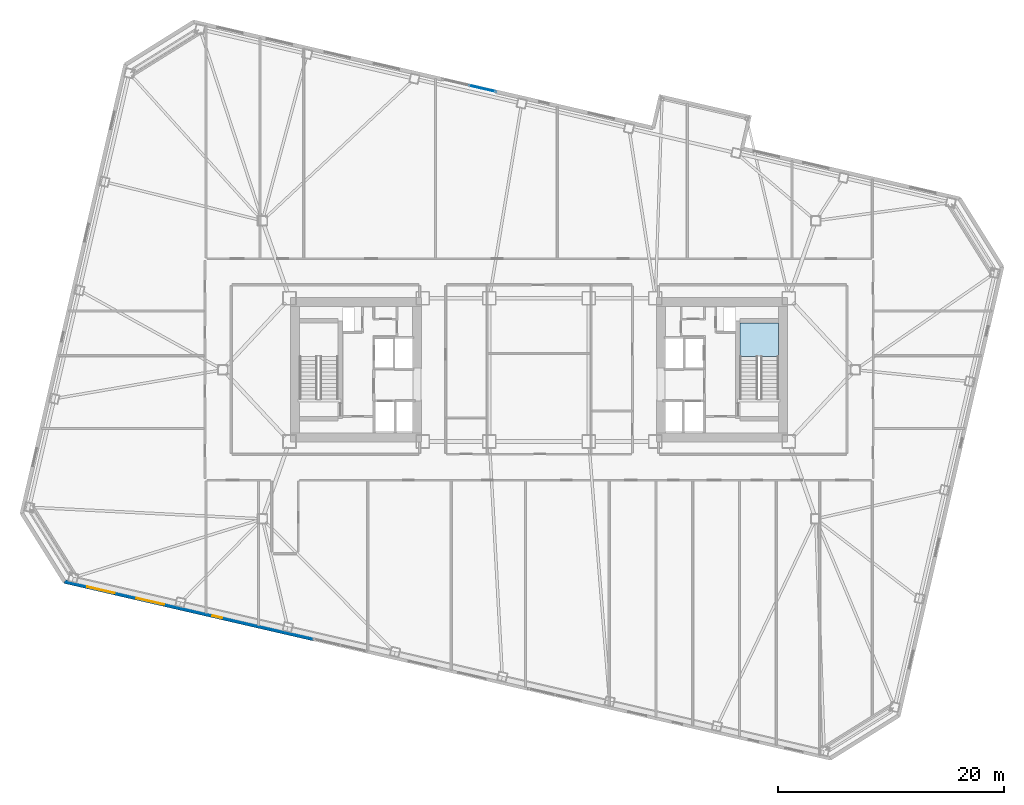
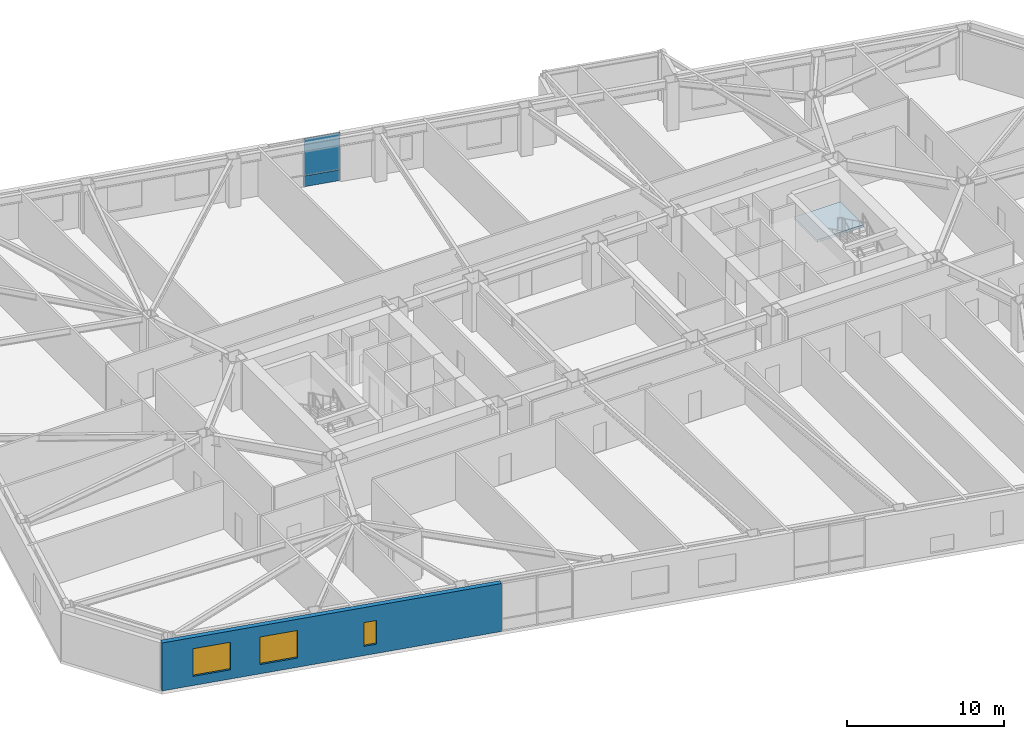
# One storey, part 10 of 21: 3 windows, 2 plates, 1 slab, 1 wall, 3 openings, 2 elements without a shape of their own.
"""IFC4 building model written with IfcOpenShell, lengths in metres."""

from ifc_helpers import new_model, si_unit, direction, frame, frame_2d, origin, origin_2d, place, context, subcontext, project, spatial, polyline, rectangle, outline, extrude, material, layer, layer_set, type_object, element, fill, aggregate, save


model = new_model("IFC4")

# Units and contexts
model_context = context("Model", 3, precision=1e-05, world=origin(), true_north=direction((0.0, 1.0)))
body_context = subcontext(model_context, "Body", "Model", "MODEL_VIEW")
ifc_project = project(units=[si_unit("LENGTHUNIT", "METRE"), si_unit("AREAUNIT", "SQUARE_METRE"), si_unit("VOLUMEUNIT", "CUBIC_METRE"), si_unit("PLANEANGLEUNIT", "RADIAN"), si_unit("MASSUNIT", "GRAM", prefix="KILO")], contexts=[model_context])

# Site, building, storey
site_placement = place(None, origin())
site = spatial("IfcSite", under=ifc_project, at=site_placement, CompositionType="ELEMENT")
building_placement = place(site_placement, origin())
building = spatial("IfcBuilding", under=site, at=building_placement, Name="Tavrogorsk Clinical Tower", CompositionType="ELEMENT")
storey_placement = place(building_placement, frame((0.0, 0.0, 71.39990234375)))
storey = spatial("IfcBuildingStorey", under=building, at=storey_placement, Name="L15", CompositionType="ELEMENT", Elevation=71.39990234375)

# Curtain wall, plates
ifc_material_1 = material(Name="Anodised aluminium and triple IGU glazing", Category="aluminium")
ifc_layer_1 = layer(ifc_material_1, 0.179931640625)
ifc_layer_set_1 = layer_set([ifc_layer_1], Name="Anodised aluminium and triple IGU glazing")
curtain_wall_type = type_object("IfcCurtainWallType", Name="CW2_NorthSlot", PredefinedType="NOTDEFINED", material=ifc_layer_set_1)
curtain_wall_placement = place(storey_placement, origin())
curtain_wall = element("IfcCurtainWall", 1, at=curtain_wall_placement, inside=storey, type_object=curtain_wall_type, Name="L15 Curtain Wall CW-L15-N-SLOT-1", PredefinedType="NOTDEFINED")
ifc_material_2 = material(Name="Honed Podolsk limestone spandrel panel", Category="masonry")
ifc_layer_2 = layer(ifc_material_2, 0.080078125)
ifc_layer_set_2 = layer_set([ifc_layer_2], Name="Honed Podolsk limestone spandrel panel")
plate_type_1 = type_object("IfcPlateType", Name="CwSpandrelStonePanel_80", PredefinedType="CURTAIN_PANEL", material=ifc_layer_set_2)
plate_1_placement = place(storey_placement, frame((-5.001220703125, 24.8994140625, 0.002197265625), z_axis=(0.0, 0.0, 1.0), x_axis=(-0.974370102963, 0.224950888978, 0.0)))
plate_1 = element("IfcPlate", 2, at=plate_1_placement, type_object=plate_type_1, Name="CW-L15-N-SLOT-1 Stone Spandrel Panel 1", PredefinedType="CURTAIN_PANEL", context=body_context, shape_type="SweptSolid", body=[
    extrude(rectangle(XDim=2.39208984375, YDim=0.080078125, at=origin_2d()), origin(), (0.0, 0.0, 1.0), 0.8359375),
])
ifc_material_3 = material(Name="Triple low-E argon insulated glass", Category="glass")
ifc_layer_3 = layer(ifc_material_3, 0.048095703125)
ifc_layer_set_3 = layer_set([ifc_layer_3], Name="Triple low-E argon insulated glass")
plate_type_2 = type_object("IfcPlateType", Name="CwVisionGlassPanel_48", PredefinedType="CURTAIN_PANEL", material=ifc_layer_set_3)
plate_2_placement = place(storey_placement, frame((-5.001220703125, 24.8994140625, 0.862060546875), z_axis=(0.0, 0.0, 1.0), x_axis=(-0.974370102963, 0.224950888978, 0.0)))
plate_2 = element("IfcPlate", 3, at=plate_2_placement, type_object=plate_type_2, Name="CW-L15-N-SLOT-1 Glazing Panel 1", PredefinedType="CURTAIN_PANEL", context=body_context, shape_type="SweptSolid", body=[
    extrude(rectangle(XDim=2.39208984375, YDim=0.048095703125, at=origin_2d()), origin(), (0.0, 0.0, 1.0), 2.8759765625),
])
aggregate(curtain_wall, [plate_1, plate_2])

# Stair, slab
ifc_material_4 = material(Name="Concrete B60", Category="concrete")
stair_type = type_object("IfcStairType", Name="CoreStairAssembly", PredefinedType="HALF_TURN_STAIR", material=ifc_material_4)
stair_placement = place(storey_placement, origin())
stair = element("IfcStair", 4, at=stair_placement, inside=storey, type_object=stair_type, Name="L15 ST-E", PredefinedType="HALF_TURN_STAIR")
ifc_material_5 = material(Name="Concrete B60", Category="concrete")
ifc_layer_4 = layer(ifc_material_5, 0.199951171875)
ifc_layer_set_4 = layer_set([ifc_layer_4], Name="Concrete B60")
slab_type = type_object("IfcSlabType", Name="StairLanding_200", PredefinedType="LANDING", material=ifc_layer_set_4)
slab_placement = place(storey_placement, frame((0.0, 0.0, 1.800048828125)))
slab = element("IfcSlab", 5, at=slab_placement, type_object=slab_type, Name="ST-E landing 1", PredefinedType="LANDING", context=body_context, shape_type="SweptSolid", body=[
    extrude(outline(polyline([(21.199951171875, 1.1650390625), (21.199951171875, 4.125), (17.800048828125, 4.125), (17.800048828125, 1.1650390625), (21.199951171875, 1.1650390625)])), origin(), (0.0, 0.0, 1.0), 0.199951171875),
])
aggregate(stair, [slab])

# Wall, openings, windows
ifc_material_6 = material(Name="Precast concrete B45 with limestone cladding", Category="masonry")
ifc_layer_5 = layer(ifc_material_6, 0.340087890625)
ifc_layer_set_5 = layer_set([ifc_layer_5], Name="Precast concrete B45 with limestone cladding")
wall_type = type_object("IfcWallType", Name="PrecastLimestoneWall_340", PredefinedType="STANDARD", material=ifc_layer_set_5)
wall_placement = place(storey_placement, frame((-42.028564453125, -18.75, 0.0), z_axis=(0.0, 0.0, 1.0), x_axis=(0.97436993772, -0.224951604723, 0.0)))
wall = element("IfcWall", 6, at=wall_placement, inside=storey, type_object=wall_type, Name="L15 S Limestone Facade Wall 1", PredefinedType="STANDARD", context=body_context, shape_type="SweptSolid", body=[
    extrude(rectangle(XDim=22.6513671875, YDim=0.340087890625, at=frame_2d((11.32568359375, 0.0))), origin(), (0.0, 0.0, 1.0), 3.739990234375),
])
opening_1_placement = place(wall_placement, frame((2.06201171875, 0.0, 0.719970703125)))
opening_1 = element("IfcOpeningElement", 7, at=opening_1_placement, cuts=wall, Name="Opening WN-11", PredefinedType="OPENING", context=body_context, shape_type="SweptSolid", body=[
    extrude(rectangle(XDim=2.5, YDim=2.14990234375, at=frame_2d((1.25, 1.074951171875))), frame((0.0, 0.179931640625, 0.0), z_axis=(0.0, -1.0, 0.0), x_axis=(1.0, 0.0, 0.0)), (0.0, 0.0, 1.0), 0.360107421875),
])
opening_2_placement = place(wall_placement, frame((6.54638671875, 0.0, 0.719970703125)))
opening_2 = element("IfcOpeningElement", 8, at=opening_2_placement, cuts=wall, Name="Opening WN-11", PredefinedType="OPENING", context=body_context, shape_type="SweptSolid", body=[
    extrude(rectangle(XDim=2.5, YDim=2.14990234375, at=frame_2d((1.25, 1.074951171875))), frame((0.0, 0.179931640625, 0.0), z_axis=(0.0, -1.0, 0.0), x_axis=(1.0, 0.0, 0.0)), (0.0, 0.0, 1.0), 0.360107421875),
])
opening_3_placement = place(wall_placement, frame((13.460693359375, 0.0, 0.719970703125)))
opening_3 = element("IfcOpeningElement", 9, at=opening_3_placement, cuts=wall, Name="Opening WN-06", PredefinedType="OPENING", context=body_context, shape_type="SweptSolid", body=[
    extrude(rectangle(XDim=0.85009765625, YDim=1.85009765625, at=frame_2d((0.425048828125, 0.925048828125))), frame((0.0, 0.179931640625, 0.0), z_axis=(0.0, -1.0, 0.0), x_axis=(1.0, 0.0, 0.0)), (0.0, 0.0, 1.0), 0.360107421875),
])
ifc_material_7 = material(Name="Thermally broken aluminium frame and triple IGU", Category="aluminium")
window_type_1 = type_object("IfcWindowType", Name="MullionSubWin_850x1850", PartitioningType="SINGLE_PANEL", PredefinedType="WINDOW", material=ifc_material_7)
window_1_placement = place(opening_3_placement, origin())
window_1 = element("IfcWindow", 10, at=window_1_placement, inside=storey, type_object=window_type_1, Name="L15 S Mullion Split Window 03B", OverallHeight=1.85009765625, OverallWidth=0.85009765625, PartitioningType="SINGLE_PANEL", PredefinedType="WINDOW", context=body_context, shape_type="SweptSolid", body=[
    extrude(rectangle(XDim=0.85009765625, YDim=1.85009765625, at=frame_2d((0.425048828125, 0.925048828125))), frame((0.0, 0.030029296875, 0.0), z_axis=(0.0, -1.0, 0.0), x_axis=(1.0, 0.0, 0.0)), (0.0, 0.0, 1.0), 0.06005859375),
])
fill(opening_3, window_1)
ifc_material_8 = material(Name="Thermally broken aluminium frame and triple IGU", Category="aluminium")
window_type_2 = type_object("IfcWindowType", Name="StepDownWin_2500x2150", PartitioningType="TRIPLE_PANEL_HORIZONTAL", PredefinedType="WINDOW", material=ifc_material_8)
window_2_placement = place(opening_1_placement, origin())
window_2 = element("IfcWindow", 11, at=window_2_placement, inside=storey, type_object=window_type_2, Name="L15 S Chicago Window 01", OverallHeight=2.14990234375, OverallWidth=2.5, PartitioningType="SINGLE_PANEL", PredefinedType="WINDOW", context=body_context, shape_type="SweptSolid", body=[
    extrude(rectangle(XDim=2.5, YDim=2.14990234375, at=frame_2d((1.25, 1.074951171875))), frame((0.0, 0.030029296875, 0.0), z_axis=(0.0, -1.0, 0.0), x_axis=(1.0, 0.0, 0.0)), (0.0, 0.0, 1.0), 0.06005859375),
])
fill(opening_1, window_2)
window_3_placement = place(opening_2_placement, origin())
window_3 = element("IfcWindow", 12, at=window_3_placement, inside=storey, type_object=window_type_2, Name="L15 S Chicago Window 02", OverallHeight=2.14990234375, OverallWidth=2.5, PartitioningType="SINGLE_PANEL", PredefinedType="WINDOW", context=body_context, shape_type="SweptSolid", body=[
    extrude(rectangle(XDim=2.5, YDim=2.14990234375, at=frame_2d((1.25, 1.074951171875))), frame((0.0, 0.030029296875, 0.0), z_axis=(0.0, -1.0, 0.0), x_axis=(1.0, 0.0, 0.0)), (0.0, 0.0, 1.0), 0.06005859375),
])
fill(opening_2, window_3)

save(model, "model.ifc")
